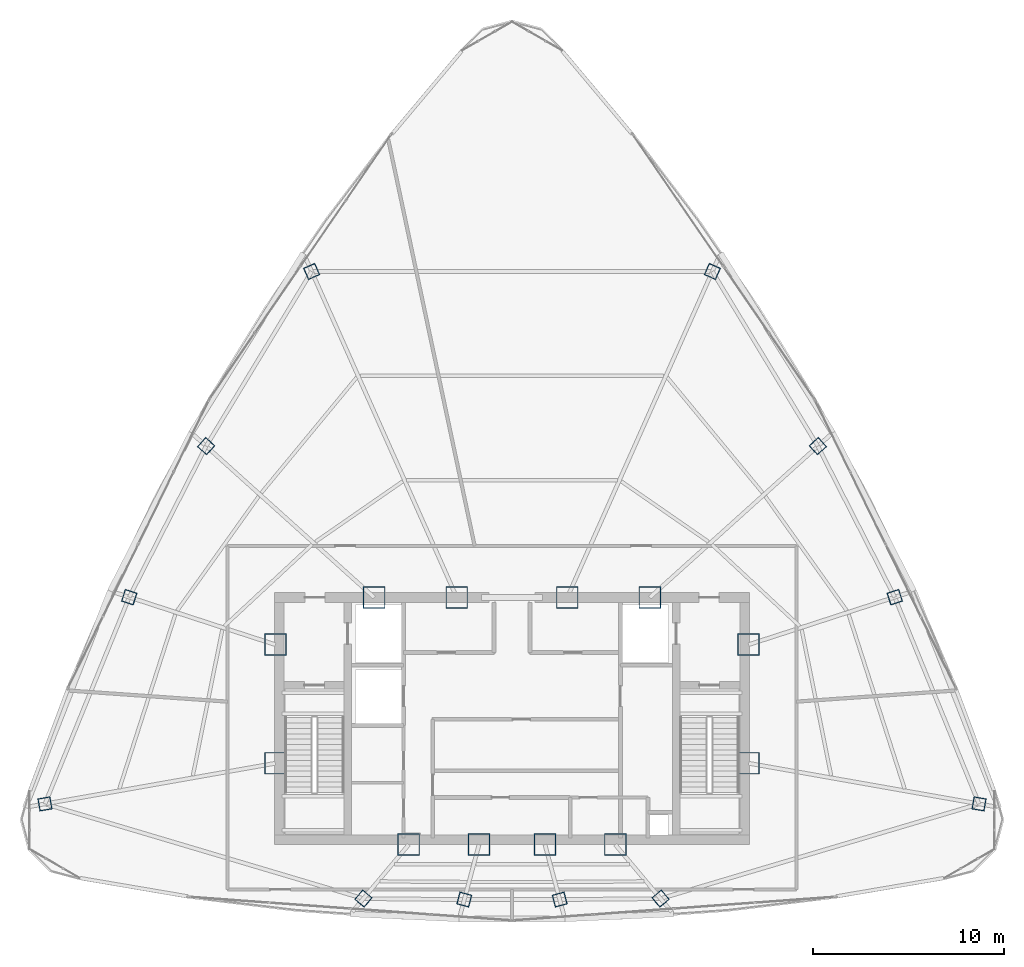
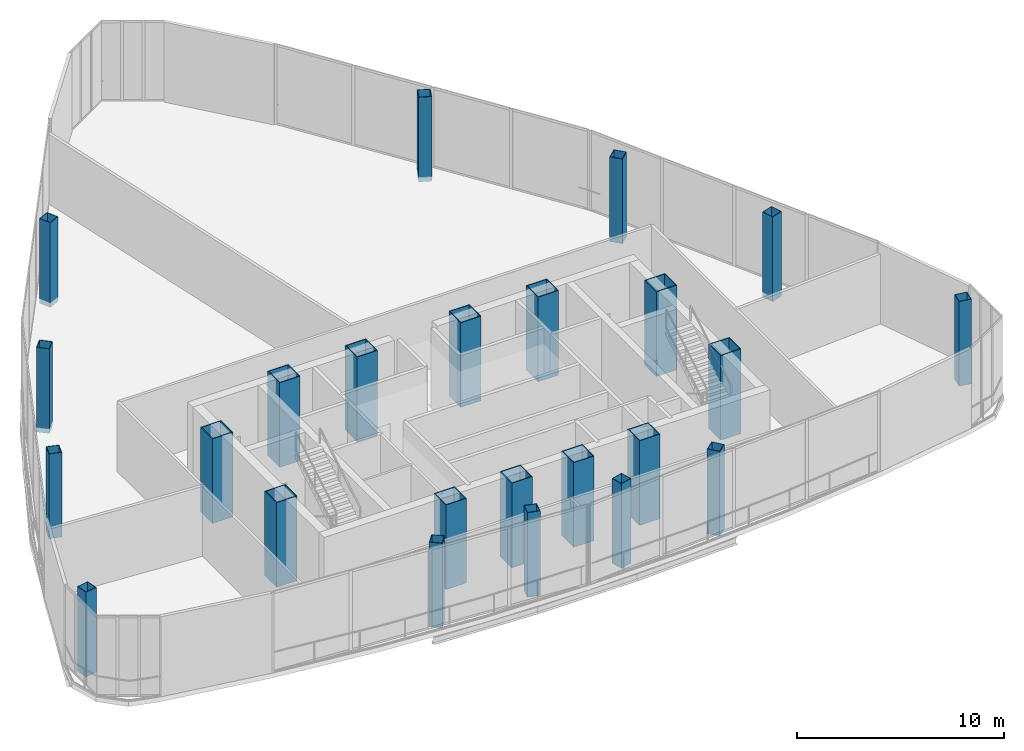
# One storey, part 1 of 33: 24 columns.
"""IFC4 building model written with IfcOpenShell, lengths in metres."""

from ifc_helpers import new_model, si_unit, direction, frame, origin, origin_2d, place, context, subcontext, project, spatial, hollow_rectangle, extrude, source, transform, mapped, material, material_profile, profile_set, type_object, element, save


model = new_model("IFC4")

# Units and contexts
model_context = context("Model", 3, precision=1e-05, world=origin(), true_north=direction((0.0, 1.0)))
body_context = subcontext(model_context, "Body", "Model", "MODEL_VIEW")
ifc_project = project(units=[si_unit("LENGTHUNIT", "METRE"), si_unit("AREAUNIT", "SQUARE_METRE"), si_unit("VOLUMEUNIT", "CUBIC_METRE"), si_unit("PLANEANGLEUNIT", "RADIAN"), si_unit("MASSUNIT", "GRAM", prefix="KILO"), si_unit("THERMODYNAMICTEMPERATUREUNIT", "KELVIN"), si_unit("POWERUNIT", "WATT")], contexts=[model_context])

# Site, building, storey
site_placement = place(None, origin())
site = spatial("IfcSite", under=ifc_project, at=site_placement, CompositionType="ELEMENT")
building_placement = place(site_placement, origin())
building = spatial("IfcBuilding", under=site, at=building_placement, Name="Yunzhuo Pagoda Commons", CompositionType="ELEMENT")
storey_placement = place(building_placement, frame((0.0, 0.0, 386.760009765625)))
storey = spatial("IfcBuildingStorey", under=building, at=storey_placement, Name="L96", CompositionType="ELEMENT", Elevation=386.760009765625)

# Columns
ifc_material_1 = material(Name="Structural steel Q420B", Category="steel")
ifc_material_profile_1 = material_profile(ifc_material_1, hollow_rectangle(XDim=1.14990234375, YDim=1.14990234375, WallThickness=0.048095703125, at=origin_2d()), Name="Structural steel Q420B")
ifc_profile_set_1 = profile_set([ifc_material_profile_1], Name="Structural steel Q420B")
column_type_1 = type_object("IfcColumnType", Name="C-COR Column BOX 1150x1150x48", PredefinedType="COLUMN", material=ifc_profile_set_1)
shared_shape_1 = source(origin(), body_context, "Body", "SweptSolid", [
    extrude(hollow_rectangle(XDim=1.14990234375, YDim=1.14990234375, WallThickness=0.048095703125, at=origin_2d()), origin(), (0.0, 0.0, 1.0), 5.0),
])
for number, where, z_axis, x_axis, name in (
    (1, (42.587890625, 27.25, -0.27978515625), (0.0, 0.0, 1.0), (1.0, 0.0, 0.0), "L96 core composite column F1C1"),
    (2, (46.27197265625, 27.25, -0.27978515625), (0.0, 0.0, 1.0), (1.0, 0.0, 0.0), "L96 core composite column F1C2"),
    (3, (49.728515625, 27.25, -0.27978515625), (0.0, 0.0, 1.0), (1.0, 0.0, 0.0), "L96 core composite column F1C3"),
    (4, (53.412109375, 27.25, -0.27978515625), (0.0, 0.0, 1.0), (1.0, 0.0, 0.0), "L96 core composite column F1C4"),
    (5, (60.39990234375, 31.513427734375, -0.27978515625), (0.0, 0.0, 1.0), (1.0, 0.0, 0.0), "L96 core composite column F2C1"),
    (6, (60.39990234375, 37.72900390625, -0.27978515625), (0.0, 0.0, 1.0), (1.0, 0.0, 0.0), "L96 core composite column F2C2"),
    (7, (55.218994140625, 40.199951171875, -0.27978515625), (0.0, 0.0, 1.0), (1.0, 0.0, 0.0), "L96 core composite column F2C3"),
    (8, (50.89404296875, 40.199951171875, -0.27978515625), (0.0, 0.0, 1.0), (1.0, 0.0, 0.0), "L96 core composite column F2C4"),
    (9, (45.10595703125, 40.199951171875, -0.27978515625), (0.0, 0.0, 1.0), (1.0, 0.0, 0.0), "L96 core composite column F3C1"),
    (10, (40.781005859375, 40.199951171875, -0.27978515625), (0.0, 0.0, 1.0), (1.0, 0.0, 0.0), "L96 core composite column F3C2"),
    (11, (35.60009765625, 37.72900390625, -0.27978515625), (0.0, 0.0, 1.0), (1.0, 0.0, 0.0), "L96 core composite column F3C3"),
    (12, (35.60009765625, 31.513427734375, -0.27978515625), (0.0, 0.0, 1.0), (1.0, 0.0, 0.0), "L96 core composite column F3C4"),
):
    element("IfcColumn", number, at=place(storey_placement, frame(where, z_axis=z_axis, x_axis=x_axis)), inside=storey, type_object=column_type_1, Name=name, PredefinedType="COLUMN", context=body_context, shape_type="MappedRepresentation", body=[
        mapped(shared_shape_1, transform((0.0, 0.0, 0.0), scale=1.0)),
    ])
ifc_material_2 = material(Name="Structural steel Q355B", Category="steel")
ifc_material_profile_2 = material_profile(ifc_material_2, hollow_rectangle(XDim=0.64990234375, YDim=0.64990234375, WallThickness=0.02392578125, at=origin_2d()), Name="Structural steel Q355B")
ifc_profile_set_2 = profile_set([ifc_material_profile_2], Name="Structural steel Q355B")
column_type_2 = type_object("IfcColumnType", Name="C-CRN Column BOX 650x650x24", PredefinedType="COLUMN", material=ifc_profile_set_2)
shared_shape_2 = source(origin(), body_context, "Body", "SweptSolid", [
    extrude(hollow_rectangle(XDim=0.64990234375, YDim=0.64990234375, WallThickness=0.02392578125, at=origin_2d()), origin(), (0.0, 0.0, 1.0), 5.0),
])
for number, where, z_axis, x_axis, name in (
    (13, (40.214599609375, 24.421630859375, -0.27978515625), (0.0, 0.0, 1.0), (0.766044443119, -0.642787609687, 0.0), "L96 tower column F1C1"),
    (14, (45.500732421875, 24.372802734375, -0.27978515625), (0.0, 0.0, 1.0), (0.965925826289, -0.258819045103, 0.0), "L96 tower column F1C2"),
    (15, (50.499267578125, 24.372802734375, -0.27978515625), (0.0, 0.0, 1.0), (0.965925826289, 0.258819045103, 0.0), "L96 tower column F1C3"),
    (16, (55.785400390625, 24.421630859375, -0.27978515625), (0.0, 0.0, 1.0), (0.766044443119, 0.642787609687, 0.0), "L96 tower column F1C4"),
    (17, (72.47021484375, 29.38525390625, -0.27978515625), (0.0, 0.0, 1.0), (0.173648177667, 0.984807753012, 0.0), "L96 tower column F2C1"),
    (18, (68.053466796875, 40.2158203125, -0.27978515625), (0.0, 0.0, 1.0), (-0.309016994375, 0.951056516295, 0.0), "L96 tower column F2C2"),
    (19, (64.024658203125, 48.128662109375, -0.27978515625), (0.0, 0.0, 1.0), (-0.669130606359, 0.743144825477, 0.0), "L96 tower column F2C3"),
    (20, (58.498779296875, 57.281005859375, -0.27978515625), (0.0, 0.0, 1.0), (-0.913545457643, 0.406736643076, 0.0), "L96 tower column F2C4"),
    (21, (37.501220703125, 57.281005859375, -0.27978515625), (0.0, 0.0, 1.0), (-0.913545457643, -0.406736643076, 0.0), "L96 tower column F3C1"),
    (22, (31.975341796875, 48.128662109375, -0.27978515625), (0.0, 0.0, 1.0), (-0.669130606359, -0.743144825477, 0.0), "L96 tower column F3C2"),
    (23, (27.946533203125, 40.2158203125, -0.27978515625), (0.0, 0.0, 1.0), (-0.309016994375, -0.951056516295, 0.0), "L96 tower column F3C3"),
    (24, (23.52978515625, 29.38525390625, -0.27978515625), (0.0, 0.0, 1.0), (0.173648177667, -0.984807753012, 0.0), "L96 tower column F3C4"),
):
    element("IfcColumn", number, at=place(storey_placement, frame(where, z_axis=z_axis, x_axis=x_axis)), inside=storey, type_object=column_type_2, Name=name, PredefinedType="COLUMN", context=body_context, shape_type="MappedRepresentation", body=[
        mapped(shared_shape_2, transform((0.0, 0.0, 0.0), scale=1.0)),
    ])

save(model, "model.ifc")
